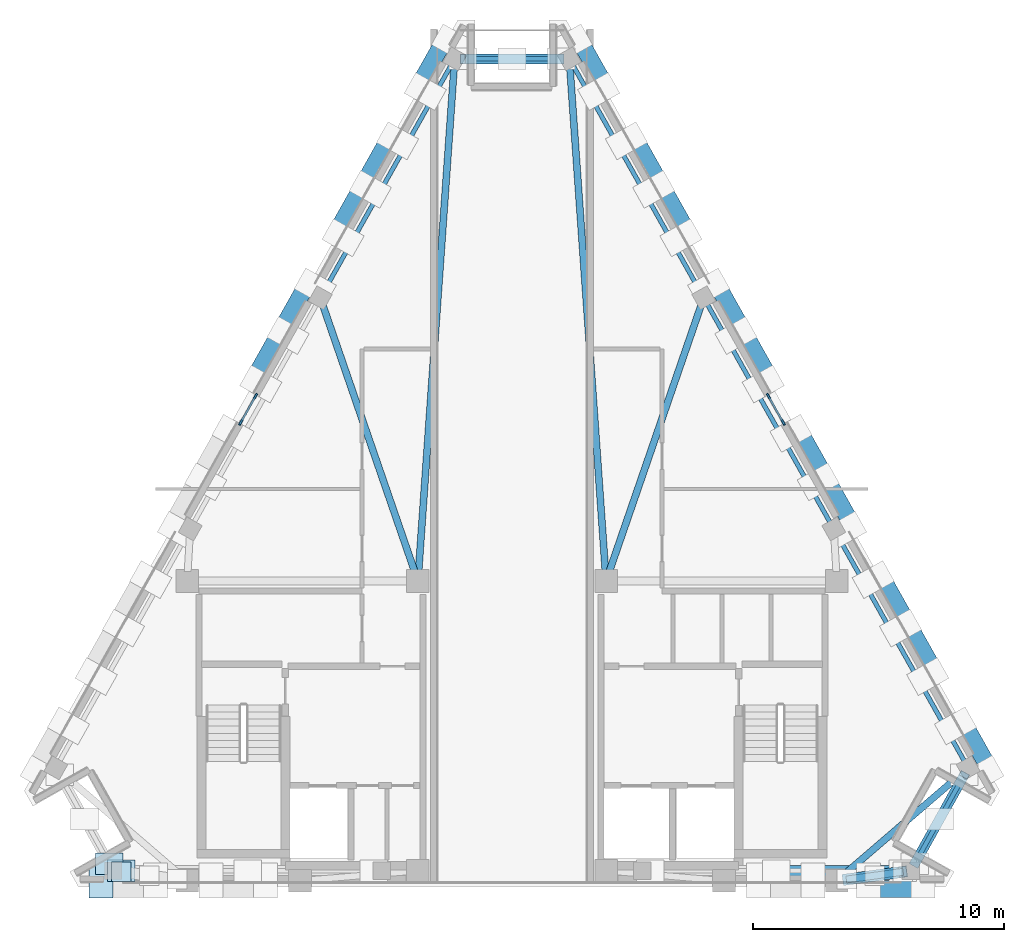
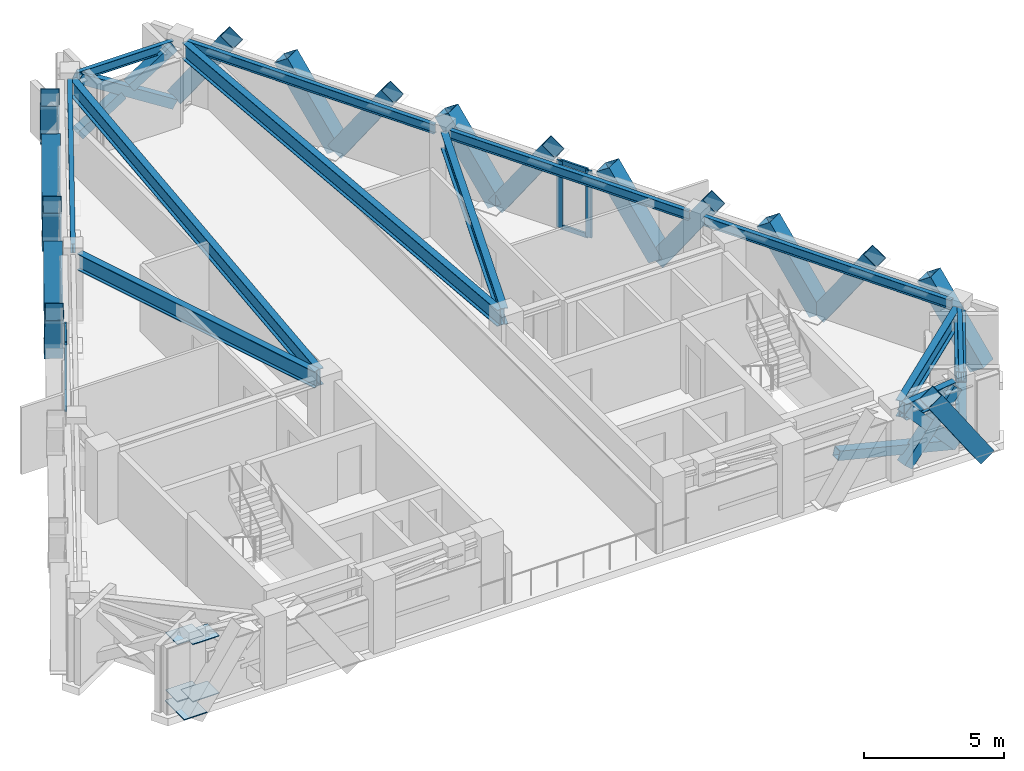
# One storey, part 2 of 7: 34 members, 12 beams, 7 plates, 2 elements without a shape of their own.
"""IFC4 building model written with IfcOpenShell, lengths in metres."""

from ifc_helpers import new_model, si_unit, direction, frame, origin, origin_2d, place, context, subcontext, project, spatial, rectangle, hollow_rectangle, i_section, extrude, material, layer, layer_set, material_profile, profile_set, type_object, element, aggregate, save


model = new_model("IFC4")

# Units and contexts
model_context = context("Model", 3, precision=1e-05, world=origin(), true_north=direction((0.0, 1.0)))
body_context = subcontext(model_context, "Body", "Model", "MODEL_VIEW")
ifc_project = project(units=[si_unit("LENGTHUNIT", "METRE"), si_unit("AREAUNIT", "SQUARE_METRE"), si_unit("VOLUMEUNIT", "CUBIC_METRE"), si_unit("PLANEANGLEUNIT", "RADIAN"), si_unit("MASSUNIT", "GRAM", prefix="KILO")], contexts=[model_context])

# Site, building, storey
site_placement = place(None, origin())
site = spatial("IfcSite", under=ifc_project, at=site_placement, CompositionType="ELEMENT")
building_placement = place(site_placement, origin())
building = spatial("IfcBuilding", under=site, at=building_placement, Name="Quenlor Broadcast Tower", CompositionType="ELEMENT")
storey_placement = place(building_placement, frame((0.0, 0.0, 270.89990234375)))
storey = spatial("IfcBuildingStorey", under=building, at=storey_placement, Name="L75", CompositionType="ELEMENT", Elevation=270.89990234375)

# Members
ifc_material_1 = material(Name="Steel S355", Category="steel")
ifc_material_profile_1 = material_profile(ifc_material_1, hollow_rectangle(XDim=0.39990234375, YDim=0.39990234375, WallThickness=0.02197265625, at=origin_2d()))
ifc_profile_set_1 = profile_set([ifc_material_profile_1], Name="Steel S355 RHS400x400x22")
member_type_1 = type_object("IfcMemberType", Name="Belt Truss Diagonal Chord Steel S355 RHS400x22", PredefinedType="CHORD", material=ifc_profile_set_1)
member_1_placement = place(storey_placement, frame((10.72509765625, -16.35009765625, 1.404296875), z_axis=(0.970566127303, 0.0, -0.240834782645), x_axis=(0.0, 1.0, 0.0)))
element("IfcMember", 1, at=member_1_placement, inside=storey, type_object=member_type_1, Name="L75 Belt Truss Split Chord 3B2", PredefinedType="CHORD", context=body_context, shape_type="SweptSolid", body=[
    extrude(hollow_rectangle(XDim=0.39990234375, YDim=0.39990234375, WallThickness=0.02197265625, at=origin_2d()), origin(), (0.0, 0.0, 1.0), 4.999755859375),
])
member_2_placement = place(storey_placement, frame((16.053466796875, -16.070556640625, 0.2001953125), z_axis=(0.414286518812, 0.743532041001, 0.524906452937), x_axis=(-0.8735515152, 0.486731702575, 0.0)))
element("IfcMember", 2, at=member_2_placement, inside=storey, type_object=member_type_1, Name="L75 Belt Truss Continuous Chord 4A", PredefinedType="CHORD", context=body_context, shape_type="SweptSolid", body=[
    extrude(hollow_rectangle(XDim=0.39990234375, YDim=0.39990234375, WallThickness=0.02197265625, at=origin_2d()), origin(), (0.0, 0.0, 1.0), 4.7626953125),
])
for number, where, z_axis, x_axis, name in (
    (3, (16.053466796875, -16.070556640625, 2.7001953125), (0.414215254418, 0.743537549216, -0.524954889408), (-0.873588646238, 0.486665056445, 0.0), "L75 Belt Truss Split Chord 4B1"),
    (4, (17.11865234375, -14.15869140625, 1.350341796875), (0.414331769122, 0.743546713396, -0.524849950076), (-0.873532995001, 0.486764939827, 0.0), "L75 Belt Truss Split Chord 4B2"),
):
    element("IfcMember", number, at=place(storey_placement, frame(where, z_axis=z_axis, x_axis=x_axis)), inside=storey, type_object=member_type_1, Name=name, PredefinedType="CHORD", context=body_context, shape_type="SweptSolid", body=[
        extrude(hollow_rectangle(XDim=0.39990234375, YDim=0.39990234375, WallThickness=0.02197265625, at=origin_2d()), origin(), (0.0, 0.0, 1.0), 2.19140625),
    ])
member_3_placement = place(storey_placement, frame((1.964599609375, 16.012451171875, 0.2001953125), z_axis=(-0.843700340428, 0.0, 0.536814433079), x_axis=(0.0, -1.0, 0.0)))
element("IfcMember", 5, at=member_3_placement, inside=storey, type_object=member_type_1, Name="L75 Belt Truss Continuous Chord 8A", PredefinedType="CHORD", context=body_context, shape_type="SweptSolid", body=[
    extrude(hollow_rectangle(XDim=0.39990234375, YDim=0.39990234375, WallThickness=0.02197265625, at=origin_2d()), origin(), (0.0, 0.0, 1.0), 4.656982421875),
])
member_4_placement = place(storey_placement, frame((1.964599609375, 16.012451171875, 2.7001953125), z_axis=(-0.84364738524, 0.0, -0.536897652609), x_axis=(0.0, -1.0, 0.0)))
element("IfcMember", 6, at=member_4_placement, inside=storey, type_object=member_type_1, Name="L75 Belt Truss Split Chord 8B1", PredefinedType="CHORD", context=body_context, shape_type="SweptSolid", body=[
    extrude(hollow_rectangle(XDim=0.39990234375, YDim=0.39990234375, WallThickness=0.02197265625, at=origin_2d()), origin(), (0.0, 0.0, 1.0), 2.138671875),
])
member_5_placement = place(storey_placement, frame((-0.160400390625, 16.012451171875, 1.34814453125), z_axis=(-0.843699093836, 0.0, -0.536816392316), x_axis=(0.0, -1.0, 0.0)))
element("IfcMember", 7, at=member_5_placement, inside=storey, type_object=member_type_1, Name="L75 Belt Truss Split Chord 8B2", PredefinedType="CHORD", context=body_context, shape_type="SweptSolid", body=[
    extrude(hollow_rectangle(XDim=0.39990234375, YDim=0.39990234375, WallThickness=0.02197265625, at=origin_2d()), origin(), (0.0, 0.0, 1.0), 2.138427734375),
])

# Curtain wall, members
ifc_material_2 = material(Name="Architectural Terracotta and Low-E Glazing", Category="masonry")
curtain_wall_type = type_object("IfcCurtainWallType", Name="Station Concourse and Crown Terracotta Curtain Wall", PredefinedType="NOTDEFINED", material=ifc_material_2)
curtain_wall_1_placement = place(storey_placement, origin())
curtain_wall_1 = element("IfcCurtainWall", 8, at=curtain_wall_1_placement, inside=storey, type_object=curtain_wall_type, Name="L75 Curtain Wall CW6 (L75-NE-G1)", PredefinedType="NOTDEFINED")
ifc_material_3 = material(Name="Aluminium 6063-T6", Category="aluminium")
ifc_material_profile_2 = material_profile(ifc_material_3, rectangle(XDim=0.08203125, YDim=0.239990234375, at=origin_2d()))
ifc_profile_set_2 = profile_set([ifc_material_profile_2], Name="Aluminium 6063-T6 MULL82x240")
member_type_2 = type_object("IfcMemberType", Name="CW6 Aluminium Mullion MULL_CW6", PredefinedType="MULLION", material=ifc_profile_set_2)
member_6_placement = place(storey_placement, frame((10.22119140625, 2.56591796875, 0.0), z_axis=(0.0, 0.0, 1.0), x_axis=(0.871579686958, 0.490253862078, 0.0)))
member_6 = element("IfcMember", 9, at=member_6_placement, type_object=member_type_2, Name="CW6 mullion 1", PredefinedType="MULLION", context=body_context, shape_type="SweptSolid", body=[
    extrude(rectangle(XDim=0.08203125, YDim=0.239990234375, at=origin_2d()), origin(), (0.0, 0.0, 1.0), 2.920166015625),
])
member_7_placement = place(storey_placement, frame((10.81201171875, 1.515625, 0.0), z_axis=(0.0, 0.0, 1.0), x_axis=(0.871579686958, 0.490253862078, 0.0)))
member_7 = element("IfcMember", 10, at=member_7_placement, type_object=member_type_2, Name="CW6 mullion 2", PredefinedType="MULLION", context=body_context, shape_type="SweptSolid", body=[
    extrude(rectangle(XDim=0.08203125, YDim=0.239990234375, at=origin_2d()), origin(), (0.0, 0.0, 1.0), 2.920166015625),
])

curtain_wall_2_placement = place(storey_placement, origin())
curtain_wall_2 = element("IfcCurtainWall", 11, at=curtain_wall_2_placement, inside=storey, type_object=curtain_wall_type, Name="L75 Curtain Wall CW6 (L75-NW-G1)", PredefinedType="NOTDEFINED")
member_8_placement = place(storey_placement, frame((-10.81201171875, 1.515625, 0.0), z_axis=(0.0, 0.0, 1.0), x_axis=(-0.871579686958, 0.490253862078, 0.0)))
member_8 = element("IfcMember", 12, at=member_8_placement, type_object=member_type_2, Name="CW6 mullion 1", PredefinedType="MULLION", context=body_context, shape_type="SweptSolid", body=[
    extrude(rectangle(XDim=0.08203125, YDim=0.239990234375, at=origin_2d()), origin(), (0.0, 0.0, 1.0), 2.920166015625),
])
member_9_placement = place(storey_placement, frame((-10.22119140625, 2.56591796875, 0.0), z_axis=(0.0, 0.0, 1.0), x_axis=(-0.871579686958, 0.490253862078, 0.0)))
member_9 = element("IfcMember", 13, at=member_9_placement, type_object=member_type_2, Name="CW6 mullion 2", PredefinedType="MULLION", context=body_context, shape_type="SweptSolid", body=[
    extrude(rectangle(XDim=0.08203125, YDim=0.239990234375, at=origin_2d()), origin(), (0.0, 0.0, 1.0), 2.920166015625),
])

# Member
ifc_material_4 = material(Name="Aluminium 6063-T6", Category="aluminium")
ifc_material_profile_3 = material_profile(ifc_material_4, rectangle(XDim=0.08203125, YDim=0.195068359375, at=origin_2d()))
ifc_profile_set_3 = profile_set([ifc_material_profile_3], Name="Aluminium 6063-T6 TRAN82x195")
member_type_3 = type_object("IfcMemberType", Name="CW6 Aluminium Transom TRAN_CW6", PredefinedType="USERDEFINED", material=ifc_profile_set_3)
member_10_placement = place(storey_placement, frame((10.241455078125, 2.530029296875, 0.041015625), z_axis=(0.490250917643, -0.871581343163, 0.0), x_axis=(0.871581343163, 0.490250917643, 0.0)))
member_10 = element("IfcMember", 14, at=member_10_placement, type_object=member_type_3, Name="CW6 transom 1.1", ObjectType="TRANSOM", PredefinedType="USERDEFINED", context=body_context, shape_type="SweptSolid", body=[
    extrude(rectangle(XDim=0.08203125, YDim=0.195068359375, at=origin_2d()), origin(), (0.0, 0.0, 1.0), 1.123046875),
])

member_11_placement = place(storey_placement, frame((10.241455078125, 2.530029296875, 2.879150390625), z_axis=(0.490250917643, -0.871581343163, 0.0), x_axis=(0.871581343163, 0.490250917643, 0.0)))
member_11 = element("IfcMember", 15, at=member_11_placement, type_object=member_type_3, Name="CW6 transom 1.2", ObjectType="TRANSOM", PredefinedType="USERDEFINED", context=body_context, shape_type="SweptSolid", body=[
    extrude(rectangle(XDim=0.08203125, YDim=0.195068359375, at=origin_2d()), origin(), (0.0, 0.0, 1.0), 1.123046875),
])

aggregate(curtain_wall_1, [member_6, member_7, member_10, member_11])

member_12_placement = place(storey_placement, frame((-10.7919921875, 1.55126953125, 0.041015625), z_axis=(0.490250917643, 0.871581343163, 0.0), x_axis=(-0.871581343163, 0.490250917643, 0.0)))
member_12 = element("IfcMember", 16, at=member_12_placement, type_object=member_type_3, Name="CW6 transom 1.1", ObjectType="TRANSOM", PredefinedType="USERDEFINED", context=body_context, shape_type="SweptSolid", body=[
    extrude(rectangle(XDim=0.08203125, YDim=0.195068359375, at=origin_2d()), origin(), (0.0, 0.0, 1.0), 1.123046875),
])

member_13_placement = place(storey_placement, frame((-10.7919921875, 1.55126953125, 2.879150390625), z_axis=(0.490250917643, 0.871581343163, 0.0), x_axis=(-0.871581343163, 0.490250917643, 0.0)))
member_13 = element("IfcMember", 17, at=member_13_placement, type_object=member_type_3, Name="CW6 transom 1.2", ObjectType="TRANSOM", PredefinedType="USERDEFINED", context=body_context, shape_type="SweptSolid", body=[
    extrude(rectangle(XDim=0.08203125, YDim=0.195068359375, at=origin_2d()), origin(), (0.0, 0.0, 1.0), 1.123046875),
])

aggregate(curtain_wall_2, [member_8, member_9, member_12, member_13])

# Beams
ifc_material_5 = material(Name="Steel S355", Category="steel")
ifc_material_profile_4 = material_profile(ifc_material_5, i_section(OverallWidth=0.27490234375, OverallDepth=0.716064453125, WebThickness=0.013916015625, FlangeThickness=0.02490234375, FilletRadius=0.013916015625, at=origin_2d()))
ifc_profile_set_4 = profile_set([ifc_material_profile_4], Name="Steel S355 700WB173")
beam_type_1 = type_object("IfcBeamType", Name="Crown Plant Ring Girder Steel S355 700WB173", PredefinedType="BEAM", material=ifc_profile_set_4)
beam_1_placement = place(storey_placement, frame((15.59033203125, -16.3916015625, 2.56201171875), z_axis=(-0.990908681621, -0.134536183561, 0.0), x_axis=(0.134536183561, -0.990908681621, 0.0)))
element("IfcBeam", 18, at=beam_1_placement, inside=storey, type_object=beam_type_1, Name="L75 Primary Radial Beam S4", PredefinedType="BEAM", context=body_context, shape_type="SweptSolid", body=[
    extrude(i_section(OverallWidth=0.27490234375, OverallDepth=0.716064453125, WebThickness=0.013916015625, FlangeThickness=0.02490234375, FilletRadius=0.013916015625, at=origin_2d()), origin(), (0.0, 0.0, 1.0), 2.28466796875),
])
beam_2_placement = place(storey_placement, frame((17.947265625, -12.451904296875, 2.56201171875), z_axis=(-0.758156826123, -0.652072255968, 0.0), x_axis=(0.652072255968, -0.758156826123, 0.0)))
element("IfcBeam", 19, at=beam_2_placement, inside=storey, type_object=beam_type_1, Name="L75 Primary Radial Beam NE1", PredefinedType="BEAM", context=body_context, shape_type="SweptSolid", body=[
    extrude(i_section(OverallWidth=0.27490234375, OverallDepth=0.716064453125, WebThickness=0.013916015625, FlangeThickness=0.02490234375, FilletRadius=0.013916015625, at=origin_2d()), origin(), (0.0, 0.0, 1.0), 6.21142578125),
])
beam_3_placement = place(storey_placement, frame((7.54052734375, 6.1962890625, 2.56201171875), z_axis=(-0.325897728726, -0.945405029821, 0.0), x_axis=(0.945405029821, -0.325897728726, 0.0)))
element("IfcBeam", 20, at=beam_3_placement, inside=storey, type_object=beam_type_1, Name="L75 Primary Radial Beam NE3", PredefinedType="BEAM", context=body_context, shape_type="SweptSolid", body=[
    extrude(i_section(OverallWidth=0.27490234375, OverallDepth=0.716064453125, WebThickness=0.013916015625, FlangeThickness=0.02490234375, FilletRadius=0.013916015625, at=origin_2d()), origin(), (0.0, 0.0, 1.0), 11.251220703125),
])
for number, where, z_axis, x_axis, name in (
    (21, (2.306396484375, 15.703369140625, 2.56201171875), (0.070238211714, -0.997530246968, 0.0), (0.997530246968, 0.070238211714, 0.0), "L75 Primary Radial Beam NE4"),
    (22, (-2.306396484375, 15.703369140625, 2.56201171875), (-0.070238211714, -0.997530246968, 0.0), (0.997530246968, -0.070238211714, 0.0), "L75 Primary Radial Beam NW1"),
):
    element("IfcBeam", number, at=place(storey_placement, frame(where, z_axis=z_axis, x_axis=x_axis)), inside=storey, type_object=beam_type_1, Name=name, PredefinedType="BEAM", context=body_context, shape_type="SweptSolid", body=[
        extrude(i_section(OverallWidth=0.27490234375, OverallDepth=0.716064453125, WebThickness=0.013916015625, FlangeThickness=0.02490234375, FilletRadius=0.013916015625, at=origin_2d()), origin(), (0.0, 0.0, 1.0), 20.174072265625),
    ])
beam_4_placement = place(storey_placement, frame((-7.54052734375, 6.1962890625, 2.56201171875), z_axis=(0.325897728726, -0.945405029821, 0.0), x_axis=(0.945405029821, 0.325897728726, 0.0)))
element("IfcBeam", 23, at=beam_4_placement, inside=storey, type_object=beam_type_1, Name="L75 Primary Radial Beam NW2", PredefinedType="BEAM", context=body_context, shape_type="SweptSolid", body=[
    extrude(i_section(OverallWidth=0.27490234375, OverallDepth=0.716064453125, WebThickness=0.013916015625, FlangeThickness=0.02490234375, FilletRadius=0.013916015625, at=origin_2d()), origin(), (0.0, 0.0, 1.0), 11.251220703125),
])

# Members
ifc_material_6 = material(Name="Steel S355", Category="steel")
ifc_material_profile_5 = material_profile(ifc_material_6, hollow_rectangle(XDim=0.679931640625, YDim=0.679931640625, WallThickness=0.02001953125, at=origin_2d()))
ifc_profile_set_5 = profile_set([ifc_material_profile_5], Name="Steel S355 RHS680x680x20")
member_type_4 = type_object("IfcMemberType", Name="Perimeter Diagonal Lattice Brace Z5-Crown Steel S355 RHS680x20", PredefinedType="BRACE", material=ifc_profile_set_5)
member_14_placement = place(storey_placement, frame((16.366943359375, -17.070068359375, -0.119873046875), z_axis=(-0.559115378164, 0.0, 0.829089858761), x_axis=(0.0, -1.0, 0.0)))
element("IfcMember", 24, at=member_14_placement, inside=storey, type_object=member_type_4, Name="L75 Perimeter Diamond Lattice S-C1S", PredefinedType="BRACE", context=body_context, shape_type="SweptSolid", body=[
    extrude(hollow_rectangle(XDim=0.679931640625, YDim=0.679931640625, WallThickness=0.02001953125, at=origin_2d()), origin(), (0.0, 0.0, 1.0), 3.859619140625),
])
for number, where, z_axis, x_axis, name in (
    (25, (2.668701171875, 16.79833984375, -0.119873046875), (0.278011753881, -0.494250100424, 0.823666378417), (0.871578496623, 0.490255978266, 0.0), "L75 Perimeter Diamond Lattice NE-C1S"),
    (26, (5.935302734375, 10.991455078125, -0.119873046875), (-0.278069737008, 0.494241464761, 0.82365198711), (-0.871531143255, -0.490340153707, 0.0), "L75 Perimeter Diamond Lattice NE-C1B"),
    (27, (5.9482421875, 10.968017578125, -0.119873046875), (0.278020388647, -0.494202607668, 0.823691960669), (0.87155185771, 0.490303333991, 0.0), "L75 Perimeter Diamond Lattice NE-C2S"),
    (28, (9.214599609375, 5.1611328125, -0.119873046875), (-0.278011753881, 0.494250100424, 0.823666378417), (-0.871578496623, -0.490255978266, 0.0), "L75 Perimeter Diamond Lattice NE-C2B"),
    (29, (9.227783203125, 5.1376953125, -0.119873046875), (0.278020388647, -0.494202607668, 0.823691960669), (0.87155185771, 0.490303333991, 0.0), "L75 Perimeter Diamond Lattice NE-C3S"),
    (30, (12.494140625, -0.669189453125, -0.119873046875), (-0.278011753881, 0.494250100424, 0.823666378417), (-0.871578496623, -0.490255978266, 0.0), "L75 Perimeter Diamond Lattice NE-C3B"),
    (31, (12.50732421875, -0.6923828125, -0.119873046875), (0.278011753881, -0.494250100424, 0.823666378417), (0.871578496623, 0.490255978266, 0.0), "L75 Perimeter Diamond Lattice NE-C4S"),
    (32, (15.773681640625, -6.499267578125, -0.119873046875), (-0.278011753881, 0.494250100424, 0.823666378417), (-0.871578496623, -0.490255978266, 0.0), "L75 Perimeter Diamond Lattice NE-C4B"),
):
    element("IfcMember", number, at=place(storey_placement, frame(where, z_axis=z_axis, x_axis=x_axis)), inside=storey, type_object=member_type_4, Name=name, PredefinedType="BRACE", context=body_context, shape_type="SweptSolid", body=[
        extrude(hollow_rectangle(XDim=0.679931640625, YDim=0.679931640625, WallThickness=0.02001953125, at=origin_2d()), origin(), (0.0, 0.0, 1.0), 3.885009765625),
    ])
member_15_placement = place(storey_placement, frame((15.786865234375, -6.522705078125, -0.119873046875), z_axis=(0.277962400982, -0.494211241538, 0.823706350818), x_axis=(0.871599215793, 0.490219141843, 0.0)))
element("IfcMember", 33, at=member_15_placement, inside=storey, type_object=member_type_4, Name="L75 Perimeter Diamond Lattice NE-C5S", PredefinedType="BRACE", context=body_context, shape_type="SweptSolid", body=[
    extrude(hollow_rectangle(XDim=0.679931640625, YDim=0.679931640625, WallThickness=0.02001953125, at=origin_2d()), origin(), (0.0, 0.0, 1.0), 3.884765625),
])
for number, where, z_axis, x_axis, name in (
    (34, (19.05322265625, -12.32958984375, -0.119873046875), (-0.278011753881, 0.494250100424, 0.823666378417), (-0.871578496623, -0.490255978266, 0.0), "L75 Perimeter Diamond Lattice NE-C5B"),
    (35, (-9.227783203125, 5.1376953125, -0.119873046875), (-0.278020388647, -0.494202607668, 0.823691960669), (0.87155185771, -0.490303333991, 0.0), "L75 Perimeter Diamond Lattice NW-C3B"),
    (36, (-9.214599609375, 5.1611328125, -0.119873046875), (0.278011753881, 0.494250100424, 0.823666378417), (-0.871578496623, 0.490255978266, 0.0), "L75 Perimeter Diamond Lattice NW-C4S"),
    (37, (-5.9482421875, 10.968017578125, -0.119873046875), (-0.278020388647, -0.494202607668, 0.823691960669), (0.87155185771, -0.490303333991, 0.0), "L75 Perimeter Diamond Lattice NW-C4B"),
    (38, (-5.935302734375, 10.991455078125, -0.119873046875), (0.278069737008, 0.494241464761, 0.82365198711), (-0.871531143255, 0.490340153707, 0.0), "L75 Perimeter Diamond Lattice NW-C5S"),
    (39, (-2.668701171875, 16.79833984375, -0.119873046875), (-0.278011753881, -0.494250100424, 0.823666378417), (0.871578496623, -0.490255978266, 0.0), "L75 Perimeter Diamond Lattice NW-C5B"),
):
    element("IfcMember", number, at=place(storey_placement, frame(where, z_axis=z_axis, x_axis=x_axis)), inside=storey, type_object=member_type_4, Name=name, PredefinedType="BRACE", context=body_context, shape_type="SweptSolid", body=[
        extrude(hollow_rectangle(XDim=0.679931640625, YDim=0.679931640625, WallThickness=0.02001953125, at=origin_2d()), origin(), (0.0, 0.0, 1.0), 3.885009765625),
    ])

# Beams
ifc_material_7 = material(Name="Steel S355", Category="steel")
ifc_material_profile_6 = material_profile(ifc_material_7, i_section(OverallWidth=0.177978515625, OverallDepth=0.406494140625, WebThickness=0.0078125, FlangeThickness=0.0126953125, FilletRadius=0.011474609375, at=origin_2d()))
ifc_profile_set_6 = profile_set([ifc_material_profile_6], Name="Steel S355 410UB59.7")
beam_type_2 = type_object("IfcBeamType", Name="Perimeter Spandrel Beam Z5 Steel S355 410UB59.7", PredefinedType="SPANDREL", material=ifc_profile_set_6)
beam_5_placement = place(storey_placement, frame((16.048583984375, -16.0791015625, 2.716796875), z_axis=(0.486777294572, 0.873526110365, 0.0), x_axis=(-0.873526110365, 0.486777294572, 0.0)))
element("IfcBeam", 40, at=beam_5_placement, inside=storey, type_object=beam_type_2, Name="L75 Spandrel Beam S4-NE1", PredefinedType="SPANDREL", context=body_context, shape_type="SweptSolid", body=[
    extrude(i_section(OverallWidth=0.177978515625, OverallDepth=0.406494140625, WebThickness=0.0078125, FlangeThickness=0.0126953125, FilletRadius=0.011474609375, at=origin_2d()), origin(), (0.0, 0.0, 1.0), 4.073486328125),
])
beam_6_placement = place(storey_placement, frame((18.0302734375, -11.979736328125, 2.716796875), z_axis=(-0.490249992991, 0.871581863265, 0.0), x_axis=(-0.871581863265, -0.490249992991, 0.0)))
element("IfcBeam", 41, at=beam_6_placement, inside=storey, type_object=beam_type_2, Name="L75 Spandrel Beam NE1-NE2", PredefinedType="SPANDREL", context=body_context, shape_type="SweptSolid", body=[
    extrude(i_section(OverallWidth=0.177978515625, OverallDepth=0.406494140625, WebThickness=0.0078125, FlangeThickness=0.0126953125, FilletRadius=0.011474609375, at=origin_2d()), origin(), (0.0, 0.0, 1.0), 10.306396484375),
])
beam_7_placement = place(storey_placement, frame((12.673583984375, -2.45654296875, 2.716796875), z_axis=(-0.490271720009, 0.87156964183, 0.0), x_axis=(-0.87156964183, -0.490271720009, 0.0)))
element("IfcBeam", 42, at=beam_7_placement, inside=storey, type_object=beam_type_2, Name="L75 Spandrel Beam NE2-NE3", PredefinedType="SPANDREL", context=body_context, shape_type="SweptSolid", body=[
    extrude(i_section(OverallWidth=0.177978515625, OverallDepth=0.406494140625, WebThickness=0.0078125, FlangeThickness=0.0126953125, FilletRadius=0.011474609375, at=origin_2d()), origin(), (0.0, 0.0, 1.0), 9.953857421875),
])
beam_8_placement = place(storey_placement, frame((7.489501953125, 6.759521484375, 2.716796875), z_axis=(-0.490260114949, 0.871576169758, 0.0), x_axis=(-0.871576169758, -0.490260114949, 0.0)))
element("IfcBeam", 43, at=beam_8_placement, inside=storey, type_object=beam_type_2, Name="L75 Spandrel Beam NE3-NE4", PredefinedType="SPANDREL", context=body_context, shape_type="SweptSolid", body=[
    extrude(i_section(OverallWidth=0.177978515625, OverallDepth=0.406494140625, WebThickness=0.0078125, FlangeThickness=0.0126953125, FilletRadius=0.011474609375, at=origin_2d()), origin(), (0.0, 0.0, 1.0), 10.30615234375),
])
beam_9_placement = place(storey_placement, frame((1.974609375, 16.012451171875, 2.716796875), z_axis=(-1.0, 0.0, 0.0), x_axis=(0.0, -1.0, 0.0)))
element("IfcBeam", 44, at=beam_9_placement, inside=storey, type_object=beam_type_2, Name="L75 Spandrel Beam NE4-NW1", PredefinedType="SPANDREL", context=body_context, shape_type="SweptSolid", body=[
    extrude(i_section(OverallWidth=0.177978515625, OverallDepth=0.406494140625, WebThickness=0.0078125, FlangeThickness=0.0126953125, FilletRadius=0.011474609375, at=origin_2d()), origin(), (0.0, 0.0, 1.0), 3.94921875),
])
beam_10_placement = place(storey_placement, frame((-2.436767578125, 15.7421875, 2.716796875), z_axis=(-0.490260114949, -0.871576169758, 0.0), x_axis=(0.871576169758, -0.490260114949, 0.0)))
element("IfcBeam", 45, at=beam_10_placement, inside=storey, type_object=beam_type_2, Name="L75 Spandrel Beam NW1-NW2", PredefinedType="SPANDREL", context=body_context, shape_type="SweptSolid", body=[
    extrude(i_section(OverallWidth=0.177978515625, OverallDepth=0.406494140625, WebThickness=0.0078125, FlangeThickness=0.0126953125, FilletRadius=0.011474609375, at=origin_2d()), origin(), (0.0, 0.0, 1.0), 10.30615234375),
])

# Members
ifc_material_8 = material(Name="Steel S355", Category="steel")
ifc_material_profile_7 = material_profile(ifc_material_8, hollow_rectangle(XDim=0.449951171875, YDim=0.449951171875, WallThickness=0.02490234375, at=origin_2d()))
ifc_profile_set_7 = profile_set([ifc_material_profile_7], Name="Steel S355 RHS450x450x25")
member_type_5 = type_object("IfcMemberType", Name="Wind Portal Ring Strut Steel S355 RHS450x25", PredefinedType="STRUT", material=ifc_profile_set_7)
member_16_placement = place(storey_placement, frame((13.346435546875, -16.6962890625, 0.2001953125), z_axis=(0.663637178924, 0.090070743768, 0.742612251358), x_axis=(-0.134489826066, 0.990914974498, 0.0)))
element("IfcMember", 46, at=member_16_placement, inside=storey, type_object=member_type_5, Name="L75 Outrigger Continuous Strut 2A", PredefinedType="STRUT", context=body_context, shape_type="SweptSolid", body=[
    extrude(hollow_rectangle(XDim=0.449951171875, YDim=0.449951171875, WallThickness=0.02490234375, at=origin_2d()), origin(), (0.0, 0.0, 1.0), 3.366455078125),
])
member_17_placement = place(storey_placement, frame((13.346435546875, -16.6962890625, 2.7001953125), z_axis=(0.663600955538, 0.09013705863, -0.742636574962), x_axis=(-0.134594265169, 0.990900794118, 0.0)))
element("IfcMember", 47, at=member_17_placement, inside=storey, type_object=member_type_5, Name="L75 Outrigger Split Strut 2B1", PredefinedType="STRUT", context=body_context, shape_type="SweptSolid", body=[
    extrude(hollow_rectangle(XDim=0.449951171875, YDim=0.449951171875, WallThickness=0.02490234375, at=origin_2d()), origin(), (0.0, 0.0, 1.0), 1.473388671875),
])
member_18_placement = place(storey_placement, frame((14.602783203125, -16.525634765625, 1.294189453125), z_axis=(0.663692523156, 0.089983780293, -0.7425733324), x_axis=(-0.134351319204, 0.990933763189, 0.0)))
element("IfcMember", 48, at=member_18_placement, inside=storey, type_object=member_type_5, Name="L75 Outrigger Split Strut 2B2", PredefinedType="STRUT", context=body_context, shape_type="SweptSolid", body=[
    extrude(hollow_rectangle(XDim=0.449951171875, YDim=0.449951171875, WallThickness=0.02490234375, at=origin_2d()), origin(), (0.0, 0.0, 1.0), 1.47314453125),
])

# Plates
ifc_material_9 = material(Name="Steel S355", Category="steel")
ifc_layer_1 = layer(ifc_material_9, 0.031982421875)
ifc_layer_set_1 = layer_set([ifc_layer_1], Name="Outrigger Perimeter Steel S355 Belt Gusset Plate 1100x850x32")
plate_type_1 = type_object("IfcPlateType", Name="Outrigger Perimeter Steel S355 Belt Gusset Plate 1100x850x32", PredefinedType="SHEET", material=ifc_layer_set_1)
for number, where, z_axis, x_axis, name in (
    (49, (-15.57763671875, -16.35009765625, 0.18408203125), (0.0, 0.0, 1.0), (1.0, 0.0, 0.0), "L75 Belt Truss Gusset Plate 1-E1"),
    (50, (-15.57763671875, -16.35009765625, 2.68408203125), (0.0, 0.0, 1.0), (1.0, 0.0, 0.0), "L75 Belt Truss Gusset Plate 1-E3"),
    (51, (-16.053466796875, -16.070556640625, 2.68408203125), (0.0, 0.0, 1.0), (1.0, 0.0, 0.0), "L75 Belt Truss Gusset Plate 12-E2"),
    (52, (-16.053466796875, -16.070556640625, 0.18408203125), (0.0, 0.0, 1.0), (1.0, 0.0, 0.0), "L75 Belt Truss Gusset Plate 12-E4"),
):
    element("IfcPlate", number, at=place(storey_placement, frame(where, z_axis=z_axis, x_axis=x_axis)), inside=storey, type_object=plate_type_1, Name=name, PredefinedType="SHEET", context=body_context, shape_type="SweptSolid", body=[
        extrude(rectangle(XDim=1.10009765625, YDim=0.85009765625, at=origin_2d()), origin(), (0.0, 0.0, 1.0), 0.031982421875),
    ])
ifc_material_10 = material(Name="Steel S355", Category="steel")
ifc_layer_2 = layer(ifc_material_10, 0.035888671875)
ifc_layer_set_2 = layer_set([ifc_layer_2], Name="Transfer Truss Steel S355 Gusset Node Plate 1400x950x36")
plate_type_2 = type_object("IfcPlateType", Name="Transfer Truss Steel S355 Gusset Node Plate 1400x950x36", PredefinedType="SHEET", material=ifc_layer_set_2)
plate_placement = place(storey_placement, frame((-16.3798828125, -16.735107421875, 0.0419921875), z_axis=(0.0, 0.0, 1.0), x_axis=(0.0, -1.0, 0.0)))
element("IfcPlate", 53, at=plate_placement, inside=storey, type_object=plate_type_2, Name="L75 Lattice Tie Gusset Node S-B15", PredefinedType="SHEET", context=body_context, shape_type="SweptSolid", body=[
    extrude(rectangle(XDim=1.39990234375, YDim=0.949951171875, at=origin_2d()), origin(), (0.0, 0.0, 1.0), 0.035888671875),
])
ifc_material_11 = material(Name="Steel S355", Category="steel")
ifc_layer_3 = layer(ifc_material_11, 0.030029296875)
ifc_layer_set_3 = layer_set([ifc_layer_3], Name="Wind Portal Ring Steel S355 Box Cap Plate 780x780x30")
plate_type_3 = type_object("IfcPlateType", Name="Wind Portal Ring Steel S355 Box Cap Plate 780x780x30", PredefinedType="USERDEFINED", material=ifc_layer_set_3)
for number, where, z_axis, x_axis, name in (
    (54, (-15.58056640625, -16.39306640625, 2.68505859375), (0.0, 0.0, 1.0), (1.0, 0.0, 0.0), "L75 Outrigger Gusset Plate 1-E2"),
    (55, (-15.58056640625, -16.39306640625, 0.18505859375), (0.0, 0.0, 1.0), (1.0, 0.0, 0.0), "L75 Outrigger Gusset Plate 1-E4"),
):
    element("IfcPlate", number, at=place(storey_placement, frame(where, z_axis=z_axis, x_axis=x_axis)), inside=storey, type_object=plate_type_3, Name=name, ObjectType="CAP PLATE", PredefinedType="USERDEFINED", context=body_context, shape_type="SweptSolid", body=[
        extrude(rectangle(XDim=0.780029296875, YDim=0.780029296875, at=origin_2d()), origin(), (0.0, 0.0, 1.0), 0.030029296875),
    ])

save(model, "model.ifc")
